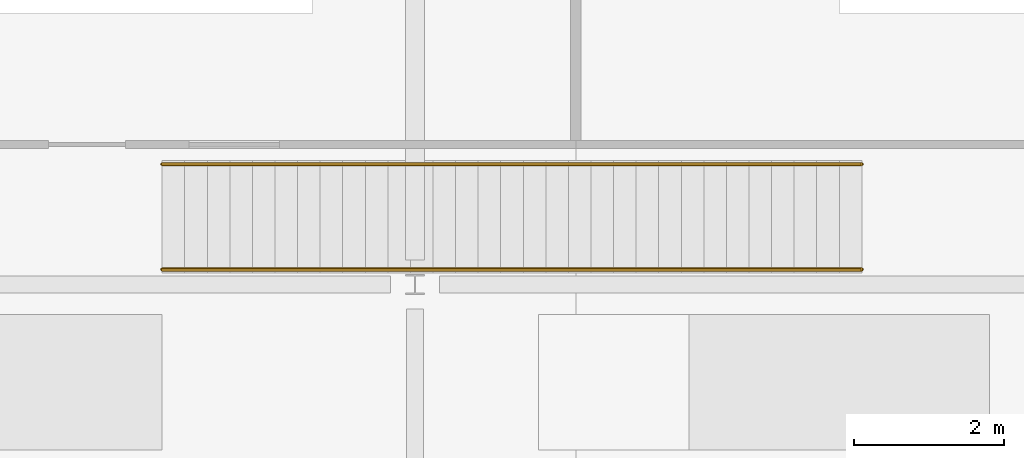
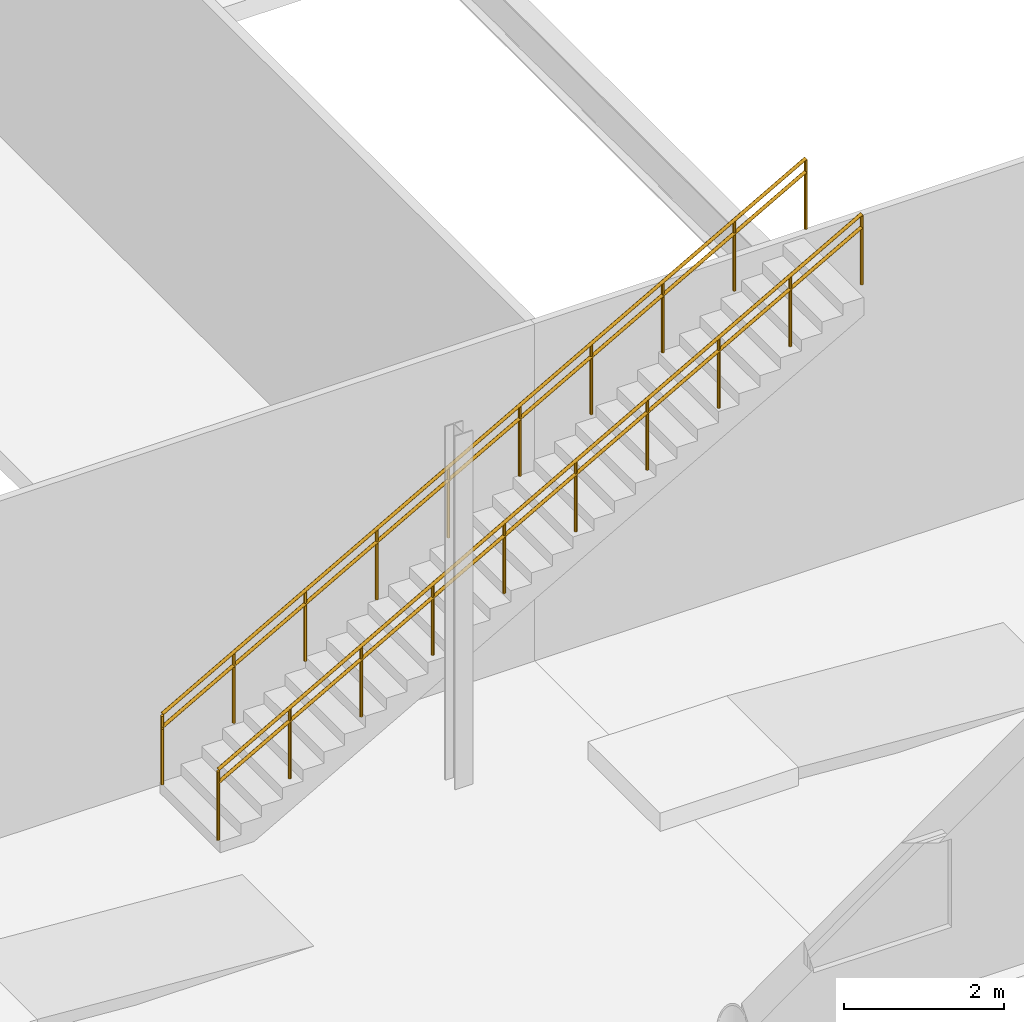
# One storey, part 80 of 83: 4 railings.
"""IFC4 building model written with IfcOpenShell, lengths in metres."""

import ifcopenshell
import ifcopenshell.guid

model = None  # the IFC model being written
_history = None  # IfcOwnerHistory: only IFC2X3 demands one
_inside = {}  # id of a spatial element -> (the spatial element, [elements in it])
_under = {}  # id of a project, library or spatial element -> (it, [spatial elements below it])
_declared = {}  # id of a project -> (the project, [libraries it declares])
_typed = {}  # id of a type object -> (the type object, [elements of that type])
_made_of = {}  # id of a material, layer set ... -> (it, [elements and type objects made of it])


def new_model(schema):
    """Start an empty IFC model of exactly this schema.

    Asked for "IFC4X3", IfcOpenShell would pick the latest addendum, in which some entities
    have other attributes; the version numbers below select the first issue.
    IFC2X3 requires an IfcOwnerHistory on every rooted entity: one is made here for all.
    """
    global model, _history
    if schema == "IFC4X3":
        model = ifcopenshell.file(schema_version=(4, 3, 0, 0))
    else:
        model = ifcopenshell.file(schema=schema)
    _inside.clear()
    _under.clear()
    _declared.clear()
    _typed.clear()
    _made_of.clear()
    _history = None
    if model.schema == "IFC2X3":
        org = make("IfcOrganization", Name="unknown")
        user = make(
            "IfcPersonAndOrganization",
            ThePerson=make("IfcPerson", FamilyName="unknown"),
            TheOrganization=org,
        )
        app = make(
            "IfcApplication",
            ApplicationDeveloper=org,
            Version="unknown",
            ApplicationFullName="unknown",
            ApplicationIdentifier="unknown",
        )
        _history = make(
            "IfcOwnerHistory",
            OwningUser=user,
            OwningApplication=app,
            ChangeAction="ADDED",
            CreationDate=0,
        )
    return model


def make(cls, **values):
    """One entity of the class cls with the attributes given. An attribute that is None is left unset."""
    return model.create_entity(
        cls, **{name: value for name, value in values.items() if value is not None}
    )


def rooted(cls, **values):
    """An entity with a GlobalId (a new one), such as an element, a storey or a relation."""
    return make(cls, GlobalId=ifcopenshell.guid.new(), OwnerHistory=_history, **values)


def si_unit(unit_type, name, prefix=None):
    """IfcSIUnit, for example si_unit("LENGTHUNIT", "METRE", prefix="MILLI")."""
    return make("IfcSIUnit", UnitType=unit_type, Prefix=prefix, Name=name)


def assignment(units):
    """IfcUnitAssignment: the units of a project."""
    return None if units is None else make("IfcUnitAssignment", Units=units)


def point(xyz):
    """IfcCartesianPoint."""
    return None if xyz is None else make("IfcCartesianPoint", Coordinates=xyz)


def direction(xyz):
    """IfcDirection."""
    return None if xyz is None else make("IfcDirection", DirectionRatios=xyz)


def frame(location, z_axis=None, x_axis=None):
    """IfcAxis2Placement3D, a coordinate frame: its origin and axes. An axis left out is left unset."""
    return make(
        "IfcAxis2Placement3D",
        Location=point(location),
        Axis=direction(z_axis),
        RefDirection=direction(x_axis),
    )


def frame_2d(location, x_axis=None):
    """IfcAxis2Placement2D, a coordinate frame in the plane: its origin and x axis."""
    return make(
        "IfcAxis2Placement2D", Location=point(location), RefDirection=direction(x_axis)
    )


def origin():
    """The frame at (0, 0, 0) with its axes left unset."""
    return frame((0.0, 0.0, 0.0))


def origin_2d():
    """The frame at (0, 0) in the plane with its x axis left unset."""
    return frame_2d((0.0, 0.0))


def place(relative_to, where):
    """IfcLocalPlacement: puts the frame where relative to a parent placement (None: the world)."""
    return make(
        "IfcLocalPlacement", PlacementRelTo=relative_to, RelativePlacement=where
    )


def context(
    kind, dimensions, precision=None, world=None, true_north=None, identifier=None
):
    """IfcGeometricRepresentationContext, for example the 3D "Model" context."""
    return make(
        "IfcGeometricRepresentationContext",
        ContextIdentifier=identifier,
        ContextType=kind,
        CoordinateSpaceDimension=dimensions,
        Precision=precision,
        WorldCoordinateSystem=world,
        TrueNorth=true_north,
    )


def subcontext(parent, identifier, kind, view, scale=None):
    """IfcGeometricRepresentationSubContext, for example "Body" below "Model"."""
    return make(
        "IfcGeometricRepresentationSubContext",
        ContextIdentifier=identifier,
        ContextType=kind,
        ParentContext=parent,
        TargetScale=scale,
        TargetView=view,
    )


def project(units=None, contexts=None):
    """IfcProject with its units and contexts."""
    return rooted(
        "IfcProject",
        Name="project",
        RepresentationContexts=contexts,
        UnitsInContext=assignment(units),
    )


def spatial(cls, under=None, at=None, **own):
    """A site, building, storey or space (cls), placed at a placement, below another one or the project."""
    s = rooted(cls, ObjectPlacement=at, **own)
    if under is not None:
        _under.setdefault(under.id(), (under, []))[1].append(s)
    return s


def profile(cls, at=None, kind="AREA", **sizes):
    """A parametric profile (cls). Its sizes go by their IFC names, for example OverallWidth=200.0."""
    return make(cls, ProfileType=kind, Position=at, **sizes)


def circle(**sizes):
    """IfcCircleProfileDef."""
    return profile("IfcCircleProfileDef", **sizes)


def extrude(swept, where, along, depth):
    """IfcExtrudedAreaSolid: the profile swept, set in the frame where, extruded along a direction by depth."""
    return make(
        "IfcExtrudedAreaSolid",
        SweptArea=swept,
        Position=where,
        ExtrudedDirection=direction(along),
        Depth=depth,
    )


def shape(context_of_items, identifier, shape_type, items):
    """IfcShapeRepresentation: the items that make up one representation, for example the "Body"."""
    return make(
        "IfcShapeRepresentation",
        ContextOfItems=context_of_items,
        RepresentationIdentifier=identifier,
        RepresentationType=shape_type,
        Items=items,
    )


def material(Name=None, Category=None):
    """IfcMaterial."""
    return make("IfcMaterial", Name=Name, Category=Category)


def made_of(thing, what):
    """Note that an element or type object is made of a material, layer set ...; save() writes the relation."""
    if what is not None:
        _made_of.setdefault(what.id(), (what, []))[1].append(thing)
    return thing


def type_object(cls, material=None, **own):
    """A type object (cls), such as IfcWallType, which elements share."""
    return made_of(rooted(cls, **own), material)


def element(
    cls,
    number,
    at=None,
    inside=None,
    cuts=None,
    type_object=None,
    material=None,
    context=None,
    identifier="Body",
    shape_type=None,
    held_by="IfcProductDefinitionShape",
    body=None,
    shapes=None,
    **own,
):
    """One element of the class cls, such as IfcWall. Its Tag is "e" and its number.

    at: its placement. inside: the storey or other place that contains it. cuts: it is an
    opening in that element (IfcRelVoidsElement). A single representation is given by context,
    identifier, shape_type and body (its items); several are given by shapes. held_by: the class
    of the entity that holds the representations. save() writes the other relations.
    """
    e = rooted(cls, Tag="e%d" % number, ObjectPlacement=at, **own)
    if body is not None:
        shapes = [shape(context, identifier, shape_type, body)]
    if shapes is not None:
        e.Representation = make(held_by, Representations=shapes)
    if inside is not None:
        _inside.setdefault(inside.id(), (inside, []))[1].append(e)
    if cuts is not None:
        rooted(
            "IfcRelVoidsElement", RelatingBuildingElement=cuts, RelatedOpeningElement=e
        )
    if type_object is not None:
        _typed.setdefault(type_object.id(), (type_object, []))[1].append(e)
    return made_of(e, material)


def aggregate(whole, parts):
    """IfcRelAggregates: a whole, such as a stair, and the parts it consists of."""
    return rooted("IfcRelAggregates", RelatingObject=whole, RelatedObjects=parts)


def save(model, path):
    """Write the relations noted so far, then the file.

    IfcRelAggregates (storeys below a building ...), IfcRelContainedInSpatialStructure (elements
    in a storey), IfcRelDefinesByType, IfcRelAssociatesMaterial and IfcRelDeclares: one each for
    every whole, place, type object, material and project.
    """
    for whole, parts in _under.values():
        aggregate(whole, parts)
    for where, things in _inside.values():
        rooted(
            "IfcRelContainedInSpatialStructure",
            RelatedElements=things,
            RelatingStructure=where,
        )
    for kind, things in _typed.values():
        rooted("IfcRelDefinesByType", RelatedObjects=things, RelatingType=kind)
    for what, things in _made_of.values():
        rooted("IfcRelAssociatesMaterial", RelatedObjects=things, RelatingMaterial=what)
    for by, libraries in _declared.values():
        rooted("IfcRelDeclares", RelatingContext=by, RelatedDefinitions=libraries)
    model.write(path)


model = new_model("IFC4")

# Units and contexts
model_context = context("Model", 3, precision=1e-05, world=origin(), true_north=direction((0.0, 1.0)))
body_context = subcontext(model_context, "Body", "Model", "MODEL_VIEW")
ifc_project = project(units=[si_unit("LENGTHUNIT", "METRE"), si_unit("AREAUNIT", "SQUARE_METRE"), si_unit("VOLUMEUNIT", "CUBIC_METRE"), si_unit("PLANEANGLEUNIT", "RADIAN"), si_unit("MASSUNIT", "GRAM", prefix="KILO")], contexts=[model_context])

# Site, building, storey
site_placement = place(None, origin())
site = spatial("IfcSite", under=ifc_project, at=site_placement, CompositionType="ELEMENT")
building_placement = place(site_placement, origin())
building = spatial("IfcBuilding", under=site, at=building_placement, Name="Quillay Park Conservatory", CompositionType="ELEMENT")
storey_placement = place(building_placement, origin())
storey = spatial("IfcBuildingStorey", under=building, at=storey_placement, Name="L00", CompositionType="ELEMENT", Elevation=0.0)

# Railings
ifc_material_1 = material(Name="Steel S355J2H", Category="steel")
railing_type_1 = type_object("IfcRailingType", Name="STAIR WALL HANDRAIL 900", PredefinedType="HANDRAIL", material=ifc_material_1)
for number, where, name in (
    (1, (46.0, 92.60009765625, 0.168701171875), "ST-FT01-L00 Feature Stair Handrail L"),
    (2, (46.0, 94.0, 0.168701171875), "ST-FT01-L00 Feature Stair Handrail R"),
):
    element("IfcRailing", number, at=place(storey_placement, frame(where)), inside=storey, type_object=railing_type_1, Name=name, PredefinedType="HANDRAIL", context=body_context, shape_type="SweptSolid", body=[
        extrude(circle(Radius=0.02392578125, at=origin_2d()), frame((0.0, 0.0, 0.8759765625), z_axis=(0.871578592338, 0.0, 0.490255808102), x_axis=(0.0, 1.0, 0.0)), (0.0, 0.0, 1.0), 10.67041015625),
        extrude(circle(Radius=0.02099609375, at=origin_2d()), origin(), (0.0, 0.0, 1.0), 0.851806640625),
        extrude(circle(Radius=0.02099609375, at=origin_2d()), frame((1.033447265625, 0.0, 0.581298828125)), (0.0, 0.0, 1.0), 0.851806640625),
        extrude(circle(Radius=0.02099609375, at=origin_2d()), frame((2.066650390625, 0.0, 1.16259765625)), (0.0, 0.0, 1.0), 0.851806640625),
        extrude(circle(Radius=0.02099609375, at=origin_2d()), frame((3.10009765625, 0.0, 1.74365234375)), (0.0, 0.0, 1.0), 0.851806640625),
        extrude(circle(Radius=0.02099609375, at=origin_2d()), frame((4.13330078125, 0.0, 2.324951171875)), (0.0, 0.0, 1.0), 0.851806640625),
        extrude(circle(Radius=0.02099609375, at=origin_2d()), frame((5.166748046875, 0.0, 2.90625)), (0.0, 0.0, 1.0), 0.851806640625),
        extrude(circle(Radius=0.02099609375, at=origin_2d()), frame((6.199951171875, 0.0, 3.487548828125)), (0.0, 0.0, 1.0), 0.851806640625),
        extrude(circle(Radius=0.02099609375, at=origin_2d()), frame((7.2333984375, 0.0, 4.068603515625)), (0.0, 0.0, 1.0), 0.851806640625),
        extrude(circle(Radius=0.02099609375, at=origin_2d()), frame((8.2666015625, 0.0, 4.64990234375)), (0.0, 0.0, 1.0), 0.851806640625),
        extrude(circle(Radius=0.02099609375, at=origin_2d()), frame((9.300048828125, 0.0, 5.231201171875)), (0.0, 0.0, 1.0), 0.851806640625),
    ])
ifc_material_2 = material(Name="Steel S355J2H", Category="steel")
railing_type_2 = type_object("IfcRailingType", Name="STAIR WELL GUARDRAIL 1100", PredefinedType="GUARDRAIL", material=ifc_material_2)
for number, where, name in (
    (3, (46.0, 92.60009765625, 0.168701171875), "ST-FT01-L00 Feature Stair Guardrail L"),
    (4, (46.0, 94.0, 0.168701171875), "ST-FT01-L00 Feature Stair Guardrail R"),
):
    element("IfcRailing", number, at=place(storey_placement, frame(where)), inside=storey, type_object=railing_type_2, Name=name, PredefinedType="GUARDRAIL", context=body_context, shape_type="SweptSolid", body=[
        extrude(circle(Radius=0.02392578125, at=origin_2d()), frame((0.0, 0.0, 1.076171875), z_axis=(0.871578592338, 0.0, 0.490255808102), x_axis=(0.0, 1.0, 0.0)), (0.0, 0.0, 1.0), 10.67041015625),
        extrude(circle(Radius=0.02099609375, at=origin_2d()), origin(), (0.0, 0.0, 1.0), 1.052001953125),
        extrude(circle(Radius=0.02099609375, at=origin_2d()), frame((1.033447265625, 0.0, 0.581298828125)), (0.0, 0.0, 1.0), 1.052001953125),
        extrude(circle(Radius=0.02099609375, at=origin_2d()), frame((2.066650390625, 0.0, 1.16259765625)), (0.0, 0.0, 1.0), 1.052001953125),
        extrude(circle(Radius=0.02099609375, at=origin_2d()), frame((3.10009765625, 0.0, 1.74365234375)), (0.0, 0.0, 1.0), 1.052001953125),
        extrude(circle(Radius=0.02099609375, at=origin_2d()), frame((4.13330078125, 0.0, 2.324951171875)), (0.0, 0.0, 1.0), 1.052001953125),
        extrude(circle(Radius=0.02099609375, at=origin_2d()), frame((5.166748046875, 0.0, 2.90625)), (0.0, 0.0, 1.0), 1.052001953125),
        extrude(circle(Radius=0.02099609375, at=origin_2d()), frame((6.199951171875, 0.0, 3.487548828125)), (0.0, 0.0, 1.0), 1.052001953125),
        extrude(circle(Radius=0.02099609375, at=origin_2d()), frame((7.2333984375, 0.0, 4.068603515625)), (0.0, 0.0, 1.0), 1.052001953125),
        extrude(circle(Radius=0.02099609375, at=origin_2d()), frame((8.2666015625, 0.0, 4.64990234375)), (0.0, 0.0, 1.0), 1.052001953125),
        extrude(circle(Radius=0.02099609375, at=origin_2d()), frame((9.300048828125, 0.0, 5.231201171875)), (0.0, 0.0, 1.0), 1.052001953125),
    ])

save(model, "model.ifc")
